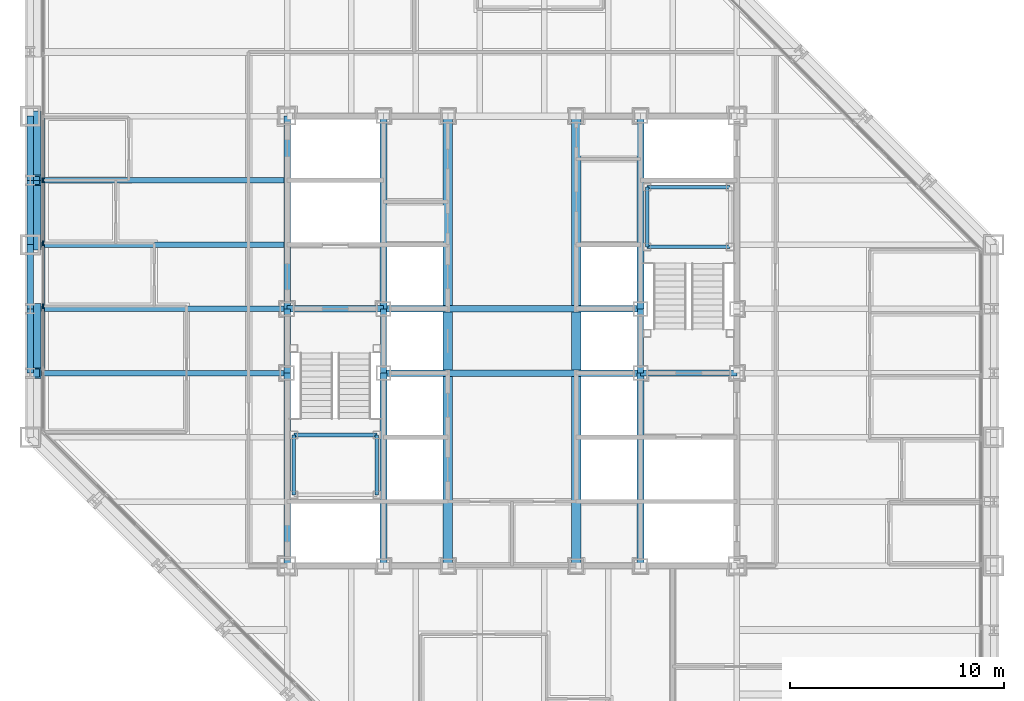
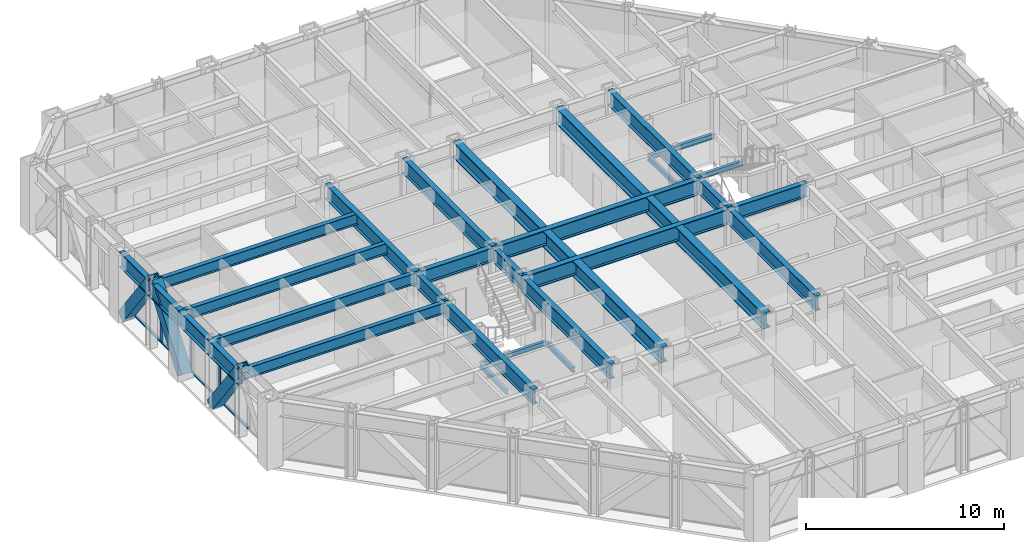
# One storey, part 5 of 16: 33 beams, 10 members, 1 element without a shape of its own.
"""IFC4 building model written with IfcOpenShell, lengths in metres."""

from ifc_helpers import new_model, si_unit, direction, frame, origin, origin_2d, place, context, subcontext, project, spatial, rectangle, hollow_rectangle, i_section, extrude, material, layer, layer_set, material_profile, profile_set, type_object, element, aggregate, save


model = new_model("IFC4")

# Units and contexts
model_context = context("Model", 3, precision=1e-05, world=origin(), true_north=direction((0.0, 1.0)))
body_context = subcontext(model_context, "Body", "Model", "MODEL_VIEW")
ifc_project = project(units=[si_unit("LENGTHUNIT", "METRE"), si_unit("AREAUNIT", "SQUARE_METRE"), si_unit("VOLUMEUNIT", "CUBIC_METRE"), si_unit("PLANEANGLEUNIT", "RADIAN"), si_unit("MASSUNIT", "GRAM", prefix="KILO")], contexts=[model_context])

# Site, building, storey
site_placement = place(None, origin())
site = spatial("IfcSite", under=ifc_project, at=site_placement, CompositionType="ELEMENT")
building_placement = place(site_placement, origin())
building = spatial("IfcBuilding", under=site, at=building_placement, Name="Chuquiago Exchange Tower", CompositionType="ELEMENT")
storey_placement = place(building_placement, frame((0.0, 0.0, 123.60009765625)))
storey = spatial("IfcBuildingStorey", under=building, at=storey_placement, Name="L26", CompositionType="ELEMENT", Elevation=123.60009765625)

# Beams
ifc_material_1 = material(Name="Steel ASTM A992", Category="steel")
ifc_material_profile_1 = material_profile(ifc_material_1, i_section(OverallWidth=0.25390625, OverallDepth=0.683349609375, WebThickness=0.012451171875, FlangeThickness=0.018798828125, at=origin_2d()), Name="W27X94")
ifc_profile_set_1 = profile_set([ifc_material_profile_1], Name="Steel ASTM A992")
beam_type_1 = type_object("IfcBeamType", Name="B1 W27X94", PredefinedType="BEAM", material=ifc_profile_set_1)
for number, where, z_axis, x_axis, name in (
    (1, (12.0, 21.0, 3.6982421875), (-1.0, 0.0, 0.0), (0.0, -1.0, 0.0), "FB-L27-infill-12_21--0_21-0"),
    (2, (12.0, 24.0, 3.6982421875), (-1.0, 0.0, 0.0), (0.0, -1.0, 0.0), "FB-L27-infill-12_24--0_24-0"),
    (3, (12.0, 27.0, 3.6982421875), (-1.0, 0.0, 0.0), (0.0, -1.0, 0.0), "FB-L27-infill-12_27--0_27-0"),
    (4, (12.0, 30.0, 3.6982421875), (-1.0, 0.0, 0.0), (0.0, -1.0, 0.0), "FB-L27-infill-12_30--0_30-0"),
):
    element("IfcBeam", number, at=place(storey_placement, frame(where, z_axis=z_axis, x_axis=x_axis)), inside=storey, type_object=beam_type_1, Name=name, PredefinedType="BEAM", context=body_context, shape_type="SweptSolid", body=[
        extrude(i_section(OverallWidth=0.25390625, OverallDepth=0.683349609375, WebThickness=0.012451171875, FlangeThickness=0.018798828125, at=origin_2d()), origin(), (0.0, 0.0, 1.0), 12.0),
    ])
ifc_material_2 = material(Name="Steel ASTM A992", Category="steel")
ifc_material_profile_2 = material_profile(ifc_material_2, i_section(OverallWidth=0.307373046875, OverallDepth=0.927001953125, WebThickness=0.01953125, FlangeThickness=0.031982421875, at=origin_2d()), Name="W36X194")
ifc_profile_set_2 = profile_set([ifc_material_profile_2], Name="Steel ASTM A992")
beam_type_2 = type_object("IfcBeamType", Name="B10 W36X194", PredefinedType="BEAM", material=ifc_profile_set_2)
for number, where, z_axis, x_axis, name in (
    (5, (12.0, 12.0, 3.576416015625), (0.0, 1.0, 0.0), (-1.0, 0.0, 0.0), "CB-L27-12_12-12_21"),
    (6, (12.0, 24.0, 3.576416015625), (0.0, 1.0, 0.0), (-1.0, 0.0, 0.0), "CB-L27-12_24-12_33"),
    (7, (16.5, 12.0, 3.576416015625), (0.0, 1.0, 0.0), (-1.0, 0.0, 0.0), "CB-L27-16.5_12-16.5_21"),
    (8, (16.5, 24.0, 3.576416015625), (0.0, 1.0, 0.0), (-1.0, 0.0, 0.0), "CB-L27-16.5_24-16.5_33"),
    (9, (28.5, 12.0, 3.576416015625), (0.0, 1.0, 0.0), (-1.0, 0.0, 0.0), "CB-L27-28.5_12-28.5_21"),
    (10, (28.5, 24.0, 3.576416015625), (0.0, 1.0, 0.0), (-1.0, 0.0, 0.0), "CB-L27-28.5_24-28.5_33"),
):
    element("IfcBeam", number, at=place(storey_placement, frame(where, z_axis=z_axis, x_axis=x_axis)), inside=storey, type_object=beam_type_2, Name=name, PredefinedType="BEAM", context=body_context, shape_type="SweptSolid", body=[
        extrude(i_section(OverallWidth=0.307373046875, OverallDepth=0.927001953125, WebThickness=0.01953125, FlangeThickness=0.031982421875, at=origin_2d()), origin(), (0.0, 0.0, 1.0), 9.0),
    ])
ifc_material_3 = material(Name="Steel ASTM A992", Category="steel")
ifc_material_profile_3 = material_profile(ifc_material_3, i_section(OverallWidth=0.309814453125, OverallDepth=0.949951171875, WebThickness=0.0244140625, FlangeThickness=0.0439453125, at=origin_2d()), Name="W36X256")
ifc_profile_set_3 = profile_set([ifc_material_profile_3], Name="Steel ASTM A992")
beam_type_3 = type_object("IfcBeamType", Name="B11 W36X256", PredefinedType="BEAM", material=ifc_profile_set_3)
for number, where, z_axis, x_axis, name in (
    (11, (16.5, 21.0, 3.56494140625), (1.0, 0.0, 0.0), (0.0, 1.0, 0.0), "CB-L27-16.5_21-28.5_21"),
    (12, (16.5, 24.0, 3.56494140625), (1.0, 0.0, 0.0), (0.0, 1.0, 0.0), "CB-L27-16.5_24-28.5_24"),
):
    element("IfcBeam", number, at=place(storey_placement, frame(where, z_axis=z_axis, x_axis=x_axis)), inside=storey, type_object=beam_type_3, Name=name, PredefinedType="BEAM", context=body_context, shape_type="SweptSolid", body=[
        extrude(i_section(OverallWidth=0.309814453125, OverallDepth=0.949951171875, WebThickness=0.0244140625, FlangeThickness=0.0439453125, at=origin_2d()), origin(), (0.0, 0.0, 1.0), 12.0),
    ])
ifc_material_4 = material(Name="Steel ASTM A992", Category="steel")
ifc_material_profile_4 = material_profile(ifc_material_4, i_section(OverallWidth=0.4267578125, OverallDepth=0.975341796875, WebThickness=0.031005859375, FlangeThickness=0.055908203125, at=origin_2d()), Name="W36X395")
ifc_profile_set_4 = profile_set([ifc_material_profile_4], Name="Steel ASTM A992")
beam_type_4 = type_object("IfcBeamType", Name="B12 W36X395", PredefinedType="BEAM", material=ifc_profile_set_4)
beam_1_placement = place(storey_placement, frame((19.5, 12.0, 3.55224609375), z_axis=(0.0, 1.0, 0.0), x_axis=(-1.0, 0.0, 0.0)))
element("IfcBeam", 13, at=beam_1_placement, inside=storey, type_object=beam_type_4, Name="CB-L27-19.5_12-19.5_20.8451", PredefinedType="BEAM", context=body_context, shape_type="SweptSolid", body=[
    extrude(i_section(OverallWidth=0.4267578125, OverallDepth=0.975341796875, WebThickness=0.031005859375, FlangeThickness=0.055908203125, at=origin_2d()), origin(), (0.0, 0.0, 1.0), 8.84521484375),
])
beam_2_placement = place(storey_placement, frame((19.5, 21.15478515625, 3.55224609375), z_axis=(0.0, 1.0, 0.0), x_axis=(-1.0, 0.0, 0.0)))
element("IfcBeam", 14, at=beam_2_placement, inside=storey, type_object=beam_type_4, Name="CB-L27-19.5_21.1549-19.5_23.8451", PredefinedType="BEAM", context=body_context, shape_type="SweptSolid", body=[
    extrude(i_section(OverallWidth=0.4267578125, OverallDepth=0.975341796875, WebThickness=0.031005859375, FlangeThickness=0.055908203125, at=origin_2d()), origin(), (0.0, 0.0, 1.0), 2.6904296875),
])
for number, where, z_axis, x_axis, name in (
    (15, (19.5, 24.15478515625, 3.55224609375), (0.0, 1.0, 0.0), (-1.0, 0.0, 0.0), "CB-L27-19.5_24.1549-19.5_33"),
    (16, (25.5, 12.0, 3.55224609375), (0.0, 1.0, 0.0), (-1.0, 0.0, 0.0), "CB-L27-25.5_12-25.5_20.8451"),
):
    element("IfcBeam", number, at=place(storey_placement, frame(where, z_axis=z_axis, x_axis=x_axis)), inside=storey, type_object=beam_type_4, Name=name, PredefinedType="BEAM", context=body_context, shape_type="SweptSolid", body=[
        extrude(i_section(OverallWidth=0.4267578125, OverallDepth=0.975341796875, WebThickness=0.031005859375, FlangeThickness=0.055908203125, at=origin_2d()), origin(), (0.0, 0.0, 1.0), 8.84521484375),
    ])
beam_3_placement = place(storey_placement, frame((25.5, 21.15478515625, 3.55224609375), z_axis=(0.0, 1.0, 0.0), x_axis=(-1.0, 0.0, 0.0)))
element("IfcBeam", 17, at=beam_3_placement, inside=storey, type_object=beam_type_4, Name="CB-L27-25.5_21.1549-25.5_23.8451", PredefinedType="BEAM", context=body_context, shape_type="SweptSolid", body=[
    extrude(i_section(OverallWidth=0.4267578125, OverallDepth=0.975341796875, WebThickness=0.031005859375, FlangeThickness=0.055908203125, at=origin_2d()), origin(), (0.0, 0.0, 1.0), 2.6904296875),
])
beam_4_placement = place(storey_placement, frame((25.5, 24.15478515625, 3.55224609375), z_axis=(0.0, 1.0, 0.0), x_axis=(-1.0, 0.0, 0.0)))
element("IfcBeam", 18, at=beam_4_placement, inside=storey, type_object=beam_type_4, Name="CB-L27-25.5_24.1549-25.5_33", PredefinedType="BEAM", context=body_context, shape_type="SweptSolid", body=[
    extrude(i_section(OverallWidth=0.4267578125, OverallDepth=0.975341796875, WebThickness=0.031005859375, FlangeThickness=0.055908203125, at=origin_2d()), origin(), (0.0, 0.0, 1.0), 8.84521484375),
])
ifc_material_5 = material(Name="Steel ASTM A992", Category="steel")
ifc_material_profile_5 = material_profile(ifc_material_5, i_section(OverallWidth=0.2919921875, OverallDepth=0.8583984375, WebThickness=0.01708984375, FlangeThickness=0.031005859375, at=origin_2d()), Name="W33X169")
ifc_profile_set_5 = profile_set([ifc_material_profile_5], Name="Steel ASTM A992")
beam_type_5 = type_object("IfcBeamType", Name="B3 W33X169", PredefinedType="BEAM", material=ifc_profile_set_5)
for number, where, z_axis, x_axis, name in (
    (19, (12.0, 21.0, 3.610595703125), (0.0, 1.0, 0.0), (-1.0, 0.0, 0.0), "CB-L27-12_21-12_24"),
    (20, (16.5, 21.0, 3.610595703125), (0.0, 1.0, 0.0), (-1.0, 0.0, 0.0), "CB-L27-16.5_21-16.5_24"),
    (21, (28.5, 21.0, 3.610595703125), (0.0, 1.0, 0.0), (-1.0, 0.0, 0.0), "CB-L27-28.5_21-28.5_24"),
):
    element("IfcBeam", number, at=place(storey_placement, frame(where, z_axis=z_axis, x_axis=x_axis)), inside=storey, type_object=beam_type_5, Name=name, PredefinedType="BEAM", context=body_context, shape_type="SweptSolid", body=[
        extrude(i_section(OverallWidth=0.2919921875, OverallDepth=0.8583984375, WebThickness=0.01708984375, FlangeThickness=0.031005859375, at=origin_2d()), origin(), (0.0, 0.0, 1.0), 3.0),
    ])
for number, where, z_axis, x_axis, name in (
    (22, (28.5, 21.0, 3.610595703125), (1.0, 0.0, 0.0), (0.0, 1.0, 0.0), "CB-L27-28.5_21-33_21"),
    (23, (12.0, 24.0, 3.610595703125), (1.0, 0.0, 0.0), (0.0, 1.0, 0.0), "CB-L27-12_24-16.5_24"),
):
    element("IfcBeam", number, at=place(storey_placement, frame(where, z_axis=z_axis, x_axis=x_axis)), inside=storey, type_object=beam_type_5, Name=name, PredefinedType="BEAM", context=body_context, shape_type="SweptSolid", body=[
        extrude(i_section(OverallWidth=0.2919921875, OverallDepth=0.8583984375, WebThickness=0.01708984375, FlangeThickness=0.031005859375, at=origin_2d()), origin(), (0.0, 0.0, 1.0), 4.5),
    ])

# Curtain wall, members
ifc_material_6 = material(Name="Aluminium curtain wall system", Category="aluminium")
ifc_layer = layer(ifc_material_6, 0.22509765625)
ifc_layer_set = layer_set([ifc_layer], Name="CW2 office curtain wall")
curtain_wall_type = type_object("IfcCurtainWallType", Name="CW2 office curtain wall", PredefinedType="NOTDEFINED", material=ifc_layer_set)
curtain_wall_placement = place(storey_placement, origin())
curtain_wall = element("IfcCurtainWall", 24, at=curtain_wall_placement, inside=storey, type_object=curtain_wall_type, Name="CW2 curtain wall L26", PredefinedType="NOTDEFINED")
ifc_material_7 = material(Name="Aluminium mullion, pale anodised", Category="aluminium")
ifc_material_profile_6 = material_profile(ifc_material_7, rectangle(XDim=0.06494140625, YDim=0.22509765625, at=origin_2d()), Name="AL 65x225")
ifc_profile_set_6 = profile_set([ifc_material_profile_6], Name="Aluminium mullion, pale anodised")
member_type_1 = type_object("IfcMemberType", Name="CW2-M mullion 65x225", PredefinedType="MULLION", material=ifc_profile_set_6)
member_1_placement = place(storey_placement, frame((0.60009765625, 30.0, 0.0), z_axis=(0.0, 0.0, 1.0), x_axis=(1.0, 0.0, 0.0)))
member_1 = element("IfcMember", 25, at=member_1_placement, type_object=member_type_1, Name="CW2 mullion 5", PredefinedType="MULLION", context=body_context, shape_type="SweptSolid", body=[
    extrude(rectangle(XDim=0.06494140625, YDim=0.22509765625, at=origin_2d()), origin(), (0.0, 0.0, 1.0), 4.039794921875),
])
member_2_placement = place(storey_placement, frame((0.60009765625, 27.06201171875, 0.0), z_axis=(0.0, 0.0, 1.0), x_axis=(1.0, 0.0, 0.0)))
member_2 = element("IfcMember", 26, at=member_2_placement, type_object=member_type_1, Name="CW2 mullion 6", PredefinedType="MULLION", context=body_context, shape_type="SweptSolid", body=[
    extrude(rectangle(XDim=0.06494140625, YDim=0.22509765625, at=origin_2d()), origin(), (0.0, 0.0, 1.0), 4.039794921875),
])
member_3_placement = place(storey_placement, frame((0.60009765625, 24.124267578125, 0.0), z_axis=(0.0, 0.0, 1.0), x_axis=(1.0, 0.0, 0.0)))
member_3 = element("IfcMember", 27, at=member_3_placement, type_object=member_type_1, Name="CW2 mullion 7", PredefinedType="MULLION", context=body_context, shape_type="SweptSolid", body=[
    extrude(rectangle(XDim=0.06494140625, YDim=0.22509765625, at=origin_2d()), origin(), (0.0, 0.0, 1.0), 4.039794921875),
])
ifc_material_8 = material(Name="Aluminium transom, pale anodised", Category="aluminium")
ifc_material_profile_7 = material_profile(ifc_material_8, rectangle(XDim=0.139892578125, YDim=0.06494140625, at=origin_2d()), Name="AL 140x65")
ifc_profile_set_7 = profile_set([ifc_material_profile_7], Name="Aluminium transom, pale anodised")
member_type_2 = type_object("IfcMemberType", Name="CW2-T transom 65x140", PredefinedType="MULLION", material=ifc_profile_set_7)
member_4_placement = place(storey_placement, frame((0.60009765625, 32.9052734375, 0.032470703125), z_axis=(0.0, -1.0, 0.0), x_axis=(1.0, 0.0, 0.0)))
member_4 = element("IfcMember", 28, at=member_4_placement, type_object=member_type_2, Name="CW2 transom 4.1", PredefinedType="MULLION", context=body_context, shape_type="SweptSolid", body=[
    extrude(rectangle(XDim=0.139892578125, YDim=0.06494140625, at=origin_2d()), origin(), (0.0, 0.0, 1.0), 2.872802734375),
])
member_5_placement = place(storey_placement, frame((0.60009765625, 29.967529296875, 0.032470703125), z_axis=(0.0, -1.0, 0.0), x_axis=(1.0, 0.0, 0.0)))
member_5 = element("IfcMember", 29, at=member_5_placement, type_object=member_type_2, Name="CW2 transom 5.1", PredefinedType="MULLION", context=body_context, shape_type="SweptSolid", body=[
    extrude(rectangle(XDim=0.139892578125, YDim=0.06494140625, at=origin_2d()), origin(), (0.0, 0.0, 1.0), 2.872802734375),
])
member_6_placement = place(storey_placement, frame((0.60009765625, 27.029541015625, 0.032470703125), z_axis=(0.0, -1.0, 0.0), x_axis=(1.0, 0.0, 0.0)))
member_6 = element("IfcMember", 30, at=member_6_placement, type_object=member_type_2, Name="CW2 transom 6.1", PredefinedType="MULLION", context=body_context, shape_type="SweptSolid", body=[
    extrude(rectangle(XDim=0.139892578125, YDim=0.06494140625, at=origin_2d()), origin(), (0.0, 0.0, 1.0), 2.872802734375),
])
member_7_placement = place(storey_placement, frame((0.60009765625, 24.091796875, 0.032470703125), z_axis=(0.0, -1.0, 0.0), x_axis=(1.0, 0.0, 0.0)))
member_7 = element("IfcMember", 31, at=member_7_placement, type_object=member_type_2, Name="CW2 transom 7.1", PredefinedType="MULLION", context=body_context, shape_type="SweptSolid", body=[
    extrude(rectangle(XDim=0.139892578125, YDim=0.06494140625, at=origin_2d()), origin(), (0.0, 0.0, 1.0), 2.872802734375),
])
aggregate(curtain_wall, [member_1, member_2, member_3, member_4, member_5, member_6, member_7])

# Beams
ifc_material_9 = material(Name="Steel ASTM A992", Category="steel")
ifc_material_profile_8 = material_profile(ifc_material_9, i_section(OverallWidth=0.164794921875, OverallDepth=0.309814453125, WebThickness=0.005859375, FlangeThickness=0.009765625, at=origin_2d()), Name="W12X26")
ifc_profile_set_8 = profile_set([ifc_material_profile_8], Name="Steel ASTM A992")
beam_type_6 = type_object("IfcBeamType", Name="LS1 W12X26", PredefinedType="BEAM", material=ifc_profile_set_8)
for number, where, z_axis, x_axis, name in (
    (32, (12.31005859375, 15.31005859375, 1.7451171875), (0.0, 1.0, 0.0), (-1.0, 0.0, 0.0), "Stair ST1 L26 landing 1 stringer"),
    (33, (16.18994140625, 15.31005859375, 1.7451171875), (0.0, 1.0, 0.0), (-1.0, 0.0, 0.0), "Stair ST1 L26 landing 1 stringer"),
    (34, (28.81005859375, 26.889892578125, 1.7451171875), (0.0, 1.0, 0.0), (-1.0, 0.0, 0.0), "Stair ST2 L26 landing 1 stringer"),
):
    element("IfcBeam", number, at=place(storey_placement, frame(where, z_axis=z_axis, x_axis=x_axis)), inside=storey, type_object=beam_type_6, Name=name, PredefinedType="BEAM", context=body_context, shape_type="SweptSolid", body=[
        extrude(i_section(OverallWidth=0.164794921875, OverallDepth=0.309814453125, WebThickness=0.005859375, FlangeThickness=0.009765625, at=origin_2d()), origin(), (0.0, 0.0, 1.0), 2.800048828125),
    ])
ifc_material_10 = material(Name="Steel ASTM A992", Category="steel")
ifc_material_profile_9 = material_profile(ifc_material_10, i_section(OverallWidth=0.164794921875, OverallDepth=0.309814453125, WebThickness=0.005859375, FlangeThickness=0.009765625, at=origin_2d()), Name="W12X26")
ifc_profile_set_9 = profile_set([ifc_material_profile_9], Name="Steel ASTM A992")
beam_type_7 = type_object("IfcBeamType", Name="LT1 W12X26", PredefinedType="BEAM", material=ifc_profile_set_9)
for number, where, z_axis, x_axis, name in (
    (35, (12.31005859375, 18.110107421875, 1.7451171875), (1.0, 0.0, 0.0), (0.0, 1.0, 0.0), "Stair ST1 L26 landing 1 trimmer"),
    (36, (28.81005859375, 29.68994140625, 1.7451171875), (1.0, 0.0, 0.0), (0.0, 1.0, 0.0), "Stair ST2 L26 landing 1 trimmer"),
    (37, (28.81005859375, 26.889892578125, 1.7451171875), (1.0, 0.0, 0.0), (0.0, 1.0, 0.0), "Stair ST2 L26 landing 1 trimmer"),
):
    element("IfcBeam", number, at=place(storey_placement, frame(where, z_axis=z_axis, x_axis=x_axis)), inside=storey, type_object=beam_type_7, Name=name, PredefinedType="BEAM", context=body_context, shape_type="SweptSolid", body=[
        extrude(i_section(OverallWidth=0.164794921875, OverallDepth=0.309814453125, WebThickness=0.005859375, FlangeThickness=0.009765625, at=origin_2d()), origin(), (0.0, 0.0, 1.0), 3.8798828125),
    ])

# Members
ifc_material_11 = material(Name="Steel ASTM A572 Grade 50", Category="steel")
ifc_material_profile_10 = material_profile(ifc_material_11, hollow_rectangle(XDim=0.60009765625, YDim=0.60009765625, WallThickness=0.06005859375, at=origin_2d()), Name="BOX600X600X60")
ifc_profile_set_10 = profile_set([ifc_material_profile_10], Name="Steel ASTM A572 Grade 50")
member_type_3 = type_object("IfcMemberType", Name="MB2 BOX600X600X60", PredefinedType="BRACE", material=ifc_profile_set_10)
for number, where, z_axis, x_axis, name in (
    (38, (0.205078125, 33.0, 0.0), (0.0, -0.596197146086, 0.802838067732), (1.0, 0.0, 0.0), "Mega diagonal L26 W face"),
    (39, (0.205078125, 27.0, 0.0), (0.0, 0.596197146086, 0.802838067732), (-1.0, 0.0, 0.0), "Mega diagonal L26 W face"),
    (40, (0.205078125, 24.0, 0.0), (0.0, -0.596197146086, 0.802838067732), (1.0, 0.0, 0.0), "Mega diagonal L26 W face"),
):
    element("IfcMember", number, at=place(storey_placement, frame(where, z_axis=z_axis, x_axis=x_axis)), inside=storey, type_object=member_type_3, Name=name, PredefinedType="BRACE", context=body_context, shape_type="SweptSolid", body=[
        extrude(hollow_rectangle(XDim=0.60009765625, YDim=0.60009765625, WallThickness=0.06005859375, at=origin_2d()), origin(), (0.0, 0.0, 1.0), 5.031982421875),
    ])

# Beams
ifc_material_12 = material(Name="Steel ASTM A992", Category="steel")
ifc_material_profile_11 = material_profile(ifc_material_12, i_section(OverallWidth=0.309814453125, OverallDepth=0.949951171875, WebThickness=0.0244140625, FlangeThickness=0.0439453125, at=origin_2d()), Name="W36X256")
ifc_profile_set_11 = profile_set([ifc_material_profile_11], Name="Steel ASTM A992")
beam_type_8 = type_object("IfcBeamType", Name="SP2 W36X256", PredefinedType="SPANDREL", material=ifc_profile_set_11)
for number, where, z_axis, x_axis, name in (
    (41, (0.0, 33.0, 3.56494140625), (0.0, -1.0, 0.0), (1.0, 0.0, 0.0), "SPB-L27-0_33-0_30"),
    (42, (0.0, 30.0, 3.56494140625), (0.0, -1.0, 0.0), (1.0, 0.0, 0.0), "SPB-L27-0_30-0_27"),
    (43, (0.0, 27.0, 3.56494140625), (0.0, -1.0, 0.0), (1.0, 0.0, 0.0), "SPB-L27-0_27-0_24"),
    (44, (0.0, 24.0, 3.56494140625), (0.0, -1.0, 0.0), (1.0, 0.0, 0.0), "SPB-L27-0_24-0_21"),
):
    element("IfcBeam", number, at=place(storey_placement, frame(where, z_axis=z_axis, x_axis=x_axis)), inside=storey, type_object=beam_type_8, Name=name, PredefinedType="SPANDREL", context=body_context, shape_type="SweptSolid", body=[
        extrude(i_section(OverallWidth=0.309814453125, OverallDepth=0.949951171875, WebThickness=0.0244140625, FlangeThickness=0.0439453125, at=origin_2d()), origin(), (0.0, 0.0, 1.0), 3.0),
    ])

save(model, "model.ifc")
